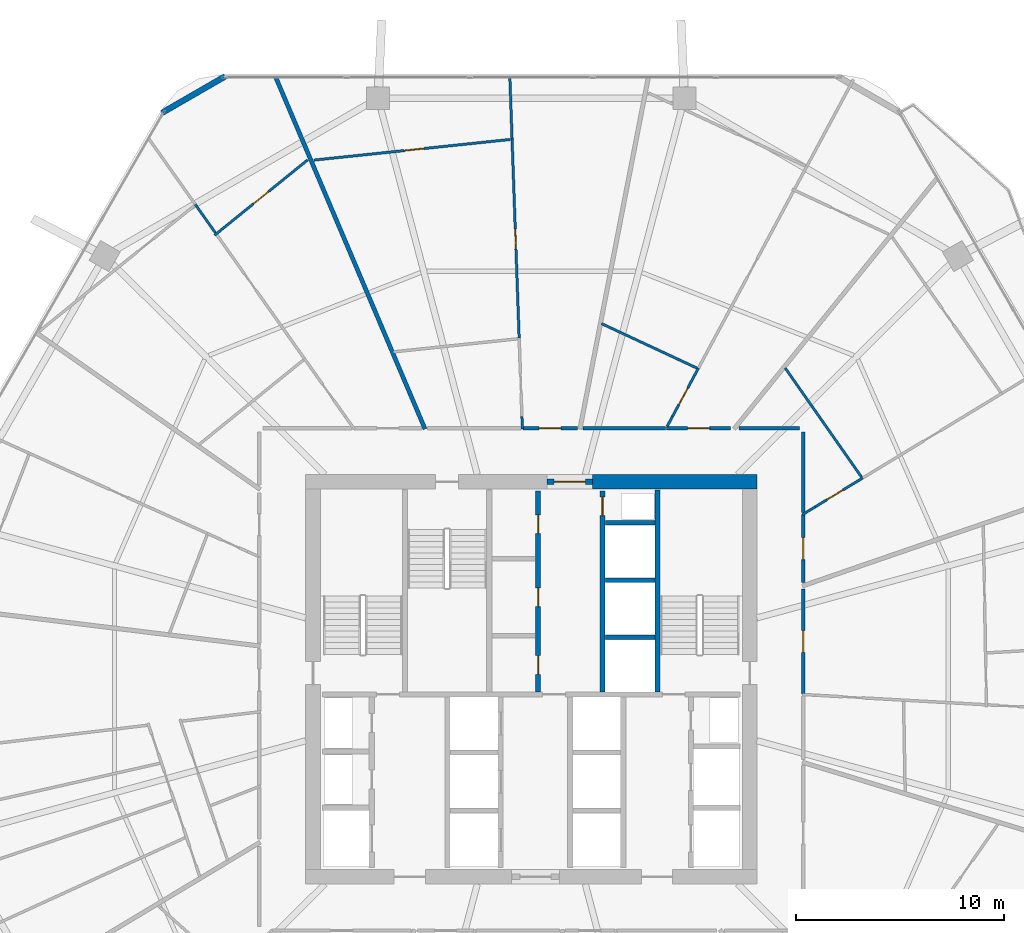
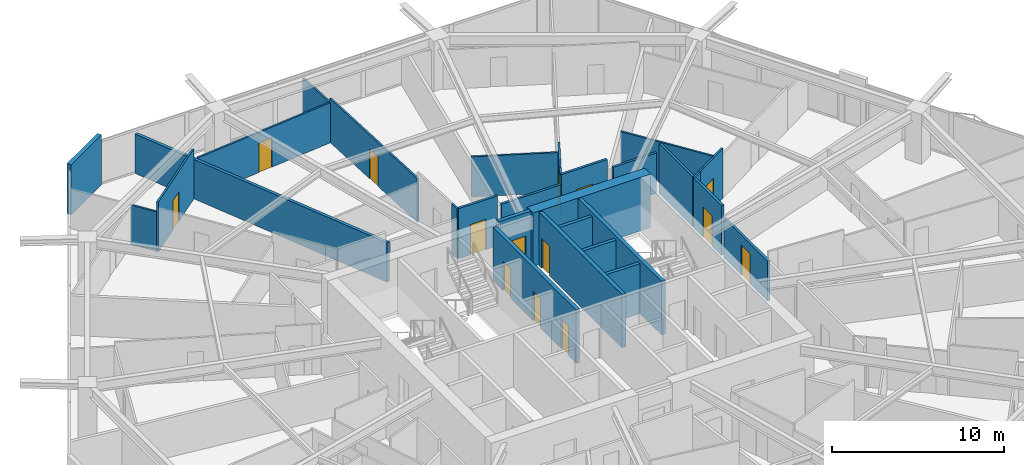
# One storey, part 28 of 32: 29 walls, 14 doors, 14 openings.
"""IFC4 building model written with IfcOpenShell, lengths in metres."""

from ifc_helpers import new_model, si_unit, direction, frame, frame_2d, origin, place, context, subcontext, project, spatial, rectangle, extrude, material, layer, layer_set, type_object, element, fill, save


model = new_model("IFC4")

# Units and contexts
model_context = context("Model", 3, precision=1e-05, world=origin(), true_north=direction((0.0, 1.0)))
body_context = subcontext(model_context, "Body", "Model", "MODEL_VIEW")
ifc_project = project(units=[si_unit("LENGTHUNIT", "METRE"), si_unit("AREAUNIT", "SQUARE_METRE"), si_unit("VOLUMEUNIT", "CUBIC_METRE"), si_unit("PLANEANGLEUNIT", "RADIAN"), si_unit("MASSUNIT", "GRAM", prefix="KILO")], contexts=[model_context])

# Site, building, storey
site_placement = place(None, origin())
site = spatial("IfcSite", under=ifc_project, at=site_placement, CompositionType="ELEMENT")
building_placement = place(site_placement, origin())
building = spatial("IfcBuilding", under=site, at=building_placement, Name="Zuhravey Tower", CompositionType="ELEMENT")
storey_placement = place(building_placement, frame((0.0, 0.0, 111.39990234375)))
storey = spatial("IfcBuildingStorey", under=building, at=storey_placement, Name="L27", CompositionType="ELEMENT", Elevation=111.39990234375)

# Wall
ifc_material_1 = material(Name="Concrete C60/75", Category="concrete")
ifc_layer_1 = layer(ifc_material_1, 0.699951171875)
ifc_layer_set_1 = layer_set([ifc_layer_1], Name="Concrete C60/75")
wall_type_1 = type_object("IfcWallType", Name="Core Shear Wall 700", PredefinedType="SHEAR", material=ifc_layer_set_1)
wall_1_placement = place(storey_placement, frame((46.85009765625, 41.5, 0.0), z_axis=(0.0, 0.0, 1.0), x_axis=(-1.0, 0.0, 0.0)))
element("IfcWall", 1, at=wall_1_placement, inside=storey, type_object=wall_type_1, Name="L27 North-East Core Shear Wall CW70", PredefinedType="SHEAR", context=body_context, shape_type="SweptSolid", body=[
    extrude(rectangle(XDim=7.900146484375, YDim=0.699951171875, at=frame_2d((3.9501953125, 0.0))), origin(), (0.0, 0.0, 1.0), 3.800048828125),
])

# Wall, opening, door
ifc_material_2 = material(Name="Gypsum fire-rated stud partition")
ifc_layer_2 = layer(ifc_material_2, 0.159912109375)
ifc_layer_set_2 = layer_set([ifc_layer_2], Name="Gypsum fire-rated stud partition")
wall_type_2 = type_object("IfcWallType", Name="Corridor Fire Partition 160", PredefinedType="PARTITIONING", material=ifc_layer_set_2)
wall_2_placement = place(storey_placement, frame((49.080078125, 36.653076171875, 0.0), z_axis=(0.0, 0.0, 1.0), x_axis=(0.0, 1.0, 0.0)))
wall_2 = element("IfcWall", 2, at=wall_2_placement, inside=storey, type_object=wall_type_2, Name="L27 IW16 Partition 022", PredefinedType="PARTITIONING", context=body_context, shape_type="SweptSolid", body=[
    extrude(rectangle(XDim=3.27001953125, YDim=0.159912109375, at=frame_2d((1.635009765625, 0.0))), origin(), (0.0, 0.0, 1.0), 3.550048828125),
])
opening_1_placement = place(wall_2_placement, frame((1.110107421875, 0.0, 0.0)))
opening_1 = element("IfcOpeningElement", 3, at=opening_1_placement, cuts=wall_2, Name="Opening APD1", PredefinedType="OPENING", context=body_context, shape_type="SweptSolid", body=[
    extrude(rectangle(XDim=1.050048828125, YDim=2.14990234375, at=frame_2d((0.52490234375, 1.074951171875))), frame((0.0, 0.092041015625, 0.0), z_axis=(0.0, -1.0, 0.0), x_axis=(1.0, 0.0, 0.0)), (0.0, 0.0, 1.0), 0.183837890625),
])
ifc_material_3 = material(Name="Solid-core oak fire-rated leaf")
door_type_1 = type_object("IfcDoorType", Name="Apartment Entrance Fire Door 1050x2150", OperationType="NOTDEFINED", PredefinedType="DOOR", material=ifc_material_3)
door_1_placement = place(opening_1_placement, frame((1.050048828125, 0.0, 0.0), z_axis=(0.0, 0.0, 1.0), x_axis=(-1.0, 0.0, 0.0)))
door_1 = element("IfcDoor", 4, at=door_1_placement, inside=storey, type_object=door_type_1, Name="L27 Door 022.1", OperationType="SINGLE_SWING_RIGHT", OverallHeight=2.14990234375, OverallWidth=1.050048828125, PredefinedType="DOOR", context=body_context, shape_type="SweptSolid", body=[
    extrude(rectangle(XDim=1.050048828125, YDim=2.14990234375, at=frame_2d((0.52490234375, 1.074951171875))), frame((0.0, 0.02490234375, 0.0), z_axis=(0.0, -1.0, 0.0), x_axis=(1.0, 0.0, 0.0)), (0.0, 0.0, 1.0), 0.050048828125),
])
fill(opening_1, door_1)

wall_3_placement = place(storey_placement, frame((45.583251953125, 44.080078125, 0.0), z_axis=(0.0, 0.0, 1.0), x_axis=(-1.0, 0.0, 0.0)))
wall_3 = element("IfcWall", 5, at=wall_3_placement, inside=storey, type_object=wall_type_2, Name="L27 IW16 Partition 028", PredefinedType="PARTITIONING", context=body_context, shape_type="SweptSolid", body=[
    extrude(rectangle(XDim=3.072509765625, YDim=0.159912109375, at=frame_2d((1.5361328125, 0.0))), origin(), (0.0, 0.0, 1.0), 3.550048828125),
])
opening_2_placement = place(wall_3_placement, frame((1.01123046875, 0.0, 0.0)))
opening_2 = element("IfcOpeningElement", 6, at=opening_2_placement, cuts=wall_3, Name="Opening APD1", PredefinedType="OPENING", context=body_context, shape_type="SweptSolid", body=[
    extrude(rectangle(XDim=1.050048828125, YDim=2.14990234375, at=frame_2d((0.52490234375, 1.074951171875))), frame((0.0, 0.092041015625, 0.0), z_axis=(0.0, -1.0, 0.0), x_axis=(1.0, 0.0, 0.0)), (0.0, 0.0, 1.0), 0.183837890625),
])
door_2_placement = place(opening_2_placement, frame((1.050048828125, 0.0, 0.0), z_axis=(0.0, 0.0, 1.0), x_axis=(-1.0, 0.0, 0.0)))
door_2 = element("IfcDoor", 7, at=door_2_placement, inside=storey, type_object=door_type_1, Name="L27 Door 028.1", OperationType="SINGLE_SWING_LEFT", OverallHeight=2.14990234375, OverallWidth=1.050048828125, PredefinedType="DOOR", context=body_context, shape_type="SweptSolid", body=[
    extrude(rectangle(XDim=1.050048828125, YDim=2.14990234375, at=frame_2d((0.52490234375, 1.074951171875))), frame((0.0, 0.02490234375, 0.0), z_axis=(0.0, -1.0, 0.0), x_axis=(1.0, 0.0, 0.0)), (0.0, 0.0, 1.0), 0.050048828125),
])
fill(opening_2, door_2)

wall_4_placement = place(storey_placement, frame((38.218505859375, 44.080078125, 0.0), z_axis=(0.0, 0.0, 1.0), x_axis=(-1.0, 0.0, 0.0)))
wall_4 = element("IfcWall", 8, at=wall_4_placement, inside=storey, type_object=wall_type_2, Name="L27 IW16 Partition 032", PredefinedType="PARTITIONING", context=body_context, shape_type="SweptSolid", body=[
    extrude(rectangle(XDim=2.62890625, YDim=0.159912109375, at=frame_2d((1.314453125, 0.0))), origin(), (0.0, 0.0, 1.0), 3.550048828125),
])
opening_3_placement = place(wall_4_placement, frame((0.78955078125, 0.0, 0.0)))
opening_3 = element("IfcOpeningElement", 9, at=opening_3_placement, cuts=wall_4, Name="Opening APD1", PredefinedType="OPENING", context=body_context, shape_type="SweptSolid", body=[
    extrude(rectangle(XDim=1.050048828125, YDim=2.14990234375, at=frame_2d((0.52490234375, 1.074951171875))), frame((0.0, 0.092041015625, 0.0), z_axis=(0.0, -1.0, 0.0), x_axis=(1.0, 0.0, 0.0)), (0.0, 0.0, 1.0), 0.183837890625),
])
door_3_placement = place(opening_3_placement, frame((1.050048828125, 0.0, 0.0), z_axis=(0.0, 0.0, 1.0), x_axis=(-1.0, 0.0, 0.0)))
door_3 = element("IfcDoor", 10, at=door_3_placement, inside=storey, type_object=door_type_1, Name="L27 Door 032.1", OperationType="SINGLE_SWING_LEFT", OverallHeight=2.14990234375, OverallWidth=1.050048828125, PredefinedType="DOOR", context=body_context, shape_type="SweptSolid", body=[
    extrude(rectangle(XDim=1.050048828125, YDim=2.14990234375, at=frame_2d((0.52490234375, 1.074951171875))), frame((0.0, 0.02490234375, 0.0), z_axis=(0.0, -1.0, 0.0), x_axis=(1.0, 0.0, 0.0)), (0.0, 0.0, 1.0), 0.050048828125),
])
fill(opening_3, door_3)

wall_5_placement = place(storey_placement, frame((49.080078125, 31.288818359375, 0.0), z_axis=(0.0, 0.0, 1.0), x_axis=(0.0, 1.0, 0.0)))
wall_5 = element("IfcWall", 11, at=wall_5_placement, inside=storey, type_object=wall_type_2, Name="L27 IW16 Partition 074", PredefinedType="PARTITIONING", context=body_context, shape_type="SweptSolid", body=[
    extrude(rectangle(XDim=5.066650390625, YDim=0.159912109375, at=frame_2d((2.533203125, 0.0))), origin(), (0.0, 0.0, 1.0), 2.85009765625),
])
opening_4_placement = place(wall_5_placement, frame((2.00830078125, 0.0, 0.0)))
opening_4 = element("IfcOpeningElement", 12, at=opening_4_placement, cuts=wall_5, Name="Opening APD1", PredefinedType="OPENING", context=body_context, shape_type="SweptSolid", body=[
    extrude(rectangle(XDim=1.050048828125, YDim=2.14990234375, at=frame_2d((0.52490234375, 1.074951171875))), frame((0.0, 0.092041015625, 0.0), z_axis=(0.0, -1.0, 0.0), x_axis=(1.0, 0.0, 0.0)), (0.0, 0.0, 1.0), 0.183837890625),
])
door_4_placement = place(opening_4_placement, frame((1.050048828125, 0.0, 0.0), z_axis=(0.0, 0.0, 1.0), x_axis=(-1.0, 0.0, 0.0)))
door_4 = element("IfcDoor", 13, at=door_4_placement, inside=storey, type_object=door_type_1, Name="L27 Door 074.1", OperationType="SINGLE_SWING_LEFT", OverallHeight=2.14990234375, OverallWidth=1.050048828125, PredefinedType="DOOR", context=body_context, shape_type="SweptSolid", body=[
    extrude(rectangle(XDim=1.050048828125, YDim=2.14990234375, at=frame_2d((0.52490234375, 1.074951171875))), frame((0.0, 0.02490234375, 0.0), z_axis=(0.0, -1.0, 0.0), x_axis=(1.0, 0.0, 0.0)), (0.0, 0.0, 1.0), 0.050048828125),
])
fill(opening_4, door_4)

# Walls
wall_6_placement = place(storey_placement, frame((49.080078125, 40.026123046875, 0.0), z_axis=(0.0, 0.0, 1.0), x_axis=(0.0, 1.0, 0.0)))
element("IfcWall", 14, at=wall_6_placement, inside=storey, type_object=wall_type_2, Name="L27 IW16 Partition 137", PredefinedType="PARTITIONING", context=body_context, shape_type="SweptSolid", body=[
    extrude(rectangle(XDim=3.873779296875, YDim=0.159912109375, at=frame_2d((1.93701171875, 0.0))), origin(), (0.0, 0.0, 1.0), 3.550048828125),
])
wall_7_placement = place(storey_placement, frame((48.89990234375, 44.080078125, 0.0), z_axis=(0.0, 0.0, 1.0), x_axis=(-1.0, 0.0, 0.0)))
element("IfcWall", 15, at=wall_7_placement, inside=storey, type_object=wall_type_2, Name="L27 IW16 Partition 138", PredefinedType="PARTITIONING", context=body_context, shape_type="SweptSolid", body=[
    extrude(rectangle(XDim=2.916015625, YDim=0.159912109375, at=frame_2d((1.4580078125, 0.0))), origin(), (0.0, 0.0, 1.0), 2.85009765625),
])
wall_8_placement = place(storey_placement, frame((42.46533203125, 44.080078125, 0.0), z_axis=(0.0, 0.0, 1.0), x_axis=(-1.0, 0.0, 0.0)))
element("IfcWall", 16, at=wall_8_placement, inside=storey, type_object=wall_type_2, Name="L27 IW16 Partition 139", PredefinedType="PARTITIONING", context=body_context, shape_type="SweptSolid", body=[
    extrude(rectangle(XDim=3.9873046875, YDim=0.159912109375, at=frame_2d((1.99365234375, 0.0))), origin(), (0.0, 0.0, 1.0), 2.85009765625),
])
ifc_material_4 = material(Name="Precast concrete C40/50", Category="concrete")
ifc_layer_3 = layer(ifc_material_4, 0.280029296875)
ifc_layer_set_3 = layer_set([ifc_layer_3], Name="Precast concrete C40/50")
wall_type_3 = type_object("IfcWallType", Name="Crown Architectural Wall 280", PredefinedType="SOLIDWALL", material=ifc_layer_set_3)
wall_9_placement = place(storey_placement, frame((18.23876953125, 59.24853515625, 0.0), z_axis=(0.0, 0.0, 1.0), x_axis=(0.866007452331, 0.500031091541, 0.0)))
element("IfcWall", 17, at=wall_9_placement, inside=storey, type_object=wall_type_3, Name="L27 Rounded Corner Closure Wall EW28-08", PredefinedType="SOLIDWALL", context=body_context, shape_type="SweptSolid", body=[
    extrude(rectangle(XDim=3.514892578125, YDim=0.280029296875, at=frame_2d((1.75732421875, 0.0))), origin(), (0.0, 0.0, 1.0), 3.550048828125),
])

# Wall, opening, door
ifc_material_5 = material(Name="Concrete C50/60", Category="concrete")
ifc_layer_4 = layer(ifc_material_5, 0.25)
ifc_layer_set_4 = layer_set([ifc_layer_4], Name="Concrete C50/60")
wall_type_4 = type_object("IfcWallType", Name="Firefighting Shaft & Stair Wall 250", PredefinedType="SOLIDWALL", material=ifc_layer_set_4)
wall_10_placement = place(storey_placement, frame((36.760009765625, 41.5, 0.0), z_axis=(0.0, 0.0, 1.0), x_axis=(1.0, 0.0, 0.0)))
wall_10 = element("IfcWall", 18, at=wall_10_placement, inside=storey, type_object=wall_type_4, Name="L27 FW25 Shaft Wall 002", PredefinedType="SOLIDWALL", context=body_context, shape_type="SweptSolid", body=[
    extrude(rectangle(XDim=2.179931640625, YDim=0.25, at=frame_2d((1.08984375, 0.0))), origin(), (0.0, 0.0, 1.0), 3.800048828125),
])
opening_5_placement = place(wall_10_placement, frame((0.340087890625, 0.0, 0.0)))
opening_5 = element("IfcOpeningElement", 19, at=opening_5_placement, cuts=wall_10, Name="Opening FFD1", PredefinedType="OPENING", context=body_context, shape_type="SweptSolid", body=[
    extrude(rectangle(XDim=1.5, YDim=2.14990234375, at=frame_2d((0.75, 1.074951171875))), frame((0.0, 0.136962890625, 0.0), z_axis=(0.0, -1.0, 0.0), x_axis=(1.0, 0.0, 0.0)), (0.0, 0.0, 1.0), 0.27392578125),
])
ifc_material_6 = material(Name="Galvanised fire-rated steel leaf", Category="steel")
door_type_2 = type_object("IfcDoorType", Name="Firefighting Lobby Double Door 1500x2150", OperationType="DOUBLE_DOOR_SINGLE_SWING", PredefinedType="DOOR", material=ifc_material_6)
door_5_placement = place(opening_5_placement, origin())
door_5 = element("IfcDoor", 20, at=door_5_placement, inside=storey, type_object=door_type_2, Name="L27 North Lift Lobby Exit Door", OperationType="DOUBLE_DOOR_SINGLE_SWING", OverallHeight=2.14990234375, OverallWidth=1.5, PredefinedType="DOOR", context=body_context, shape_type="SweptSolid", body=[
    extrude(rectangle(XDim=1.5, YDim=2.14990234375, at=frame_2d((0.75, 1.074951171875))), frame((0.0, 0.02490234375, 0.0), z_axis=(0.0, -1.0, 0.0), x_axis=(1.0, 0.0, 0.0)), (0.0, 0.0, 1.0), 0.050048828125),
])
fill(opening_5, door_5)

# Wall
wall_11_placement = place(storey_placement, frame((42.074951171875, 31.39990234375, 0.0), z_axis=(0.0, 0.0, 1.0), x_axis=(0.0, 1.0, 0.0)))
element("IfcWall", 21, at=wall_11_placement, inside=storey, type_object=wall_type_4, Name="L27 FW25 Shaft Wall 006", PredefinedType="SOLIDWALL", context=body_context, shape_type="SweptSolid", body=[
    extrude(rectangle(XDim=9.7001953125, YDim=0.25, at=frame_2d((4.85009765625, 0.0))), origin(), (0.0, 0.0, 1.0), 3.800048828125),
])

# Wall, openings, doors
wall_12_placement = place(storey_placement, frame((36.324951171875, 31.39990234375, 0.0), z_axis=(0.0, 0.0, 1.0), x_axis=(0.0, 1.0, 0.0)))
wall_12 = element("IfcWall", 22, at=wall_12_placement, inside=storey, type_object=wall_type_4, Name="L27 FW25 Shaft Wall 007", PredefinedType="SOLIDWALL", context=body_context, shape_type="SweptSolid", body=[
    extrude(rectangle(XDim=9.650146484375, YDim=0.25, at=frame_2d((4.8251953125, 0.0))), origin(), (0.0, 0.0, 1.0), 3.800048828125),
])
opening_6_placement = place(wall_12_placement, frame((0.840087890625, 0.0, 0.0)))
opening_6 = element("IfcOpeningElement", 23, at=opening_6_placement, cuts=wall_12, Name="Opening RSD1", PredefinedType="OPENING", context=body_context, shape_type="SweptSolid", body=[
    extrude(rectangle(XDim=0.89990234375, YDim=2.10009765625, at=frame_2d((0.449951171875, 1.050048828125))), frame((0.0, 0.136962890625, 0.0), z_axis=(0.0, -1.0, 0.0), x_axis=(1.0, 0.0, 0.0)), (0.0, 0.0, 1.0), 0.27392578125),
])
opening_7_placement = place(wall_12_placement, frame((4.10009765625, 0.0, 0.0)))
opening_7 = element("IfcOpeningElement", 24, at=opening_7_placement, cuts=wall_12, Name="Opening RSD1", PredefinedType="OPENING", context=body_context, shape_type="SweptSolid", body=[
    extrude(rectangle(XDim=0.89990234375, YDim=2.10009765625, at=frame_2d((0.449951171875, 1.050048828125))), frame((0.0, 0.136962890625, 0.0), z_axis=(0.0, -1.0, 0.0), x_axis=(1.0, 0.0, 0.0)), (0.0, 0.0, 1.0), 0.27392578125),
])
opening_8_placement = place(wall_12_placement, frame((7.610107421875, 0.0, 0.0)))
opening_8 = element("IfcOpeningElement", 25, at=opening_8_placement, cuts=wall_12, Name="Opening RSD1", PredefinedType="OPENING", context=body_context, shape_type="SweptSolid", body=[
    extrude(rectangle(XDim=0.89990234375, YDim=2.10009765625, at=frame_2d((0.449951171875, 1.050048828125))), frame((0.0, 0.136962890625, 0.0), z_axis=(0.0, -1.0, 0.0), x_axis=(1.0, 0.0, 0.0)), (0.0, 0.0, 1.0), 0.27392578125),
])
ifc_material_7 = material(Name="Galvanised fire-rated steel access leaf", Category="steel")
door_type_3 = type_object("IfcDoorType", Name="Riser & Shaft Access Fire Door 900x2100", OperationType="NOTDEFINED", PredefinedType="DOOR", material=ifc_material_7)
door_6_placement = place(opening_6_placement, origin())
door_6 = element("IfcDoor", 26, at=door_6_placement, inside=storey, type_object=door_type_3, Name="L27 Core Staff WC Door", OperationType="SINGLE_SWING_RIGHT", OverallHeight=2.10009765625, OverallWidth=0.89990234375, PredefinedType="DOOR", context=body_context, shape_type="SweptSolid", body=[
    extrude(rectangle(XDim=0.89990234375, YDim=2.10009765625, at=frame_2d((0.449951171875, 1.050048828125))), frame((0.0, 0.02490234375, 0.0), z_axis=(0.0, -1.0, 0.0), x_axis=(1.0, 0.0, 0.0)), (0.0, 0.0, 1.0), 0.050048828125),
])
fill(opening_6, door_6)
door_7_placement = place(opening_7_placement, origin())
door_7 = element("IfcDoor", 27, at=door_7_placement, inside=storey, type_object=door_type_3, Name="L27 IT and Comms Room Door", OperationType="SINGLE_SWING_LEFT", OverallHeight=2.10009765625, OverallWidth=0.89990234375, PredefinedType="DOOR", context=body_context, shape_type="SweptSolid", body=[
    extrude(rectangle(XDim=0.89990234375, YDim=2.10009765625, at=frame_2d((0.449951171875, 1.050048828125))), frame((0.0, 0.02490234375, 0.0), z_axis=(0.0, -1.0, 0.0), x_axis=(1.0, 0.0, 0.0)), (0.0, 0.0, 1.0), 0.050048828125),
])
fill(opening_7, door_7)
door_8_placement = place(opening_8_placement, origin())
door_8 = element("IfcDoor", 28, at=door_8_placement, inside=storey, type_object=door_type_3, Name="L27 Janitor Linen Store Door", OperationType="SINGLE_SWING_RIGHT", OverallHeight=2.10009765625, OverallWidth=0.89990234375, PredefinedType="DOOR", context=body_context, shape_type="SweptSolid", body=[
    extrude(rectangle(XDim=0.89990234375, YDim=2.10009765625, at=frame_2d((0.449951171875, 1.050048828125))), frame((0.0, 0.02490234375, 0.0), z_axis=(0.0, -1.0, 0.0), x_axis=(1.0, 0.0, 0.0)), (0.0, 0.0, 1.0), 0.050048828125),
])
fill(opening_8, door_8)

# Wall, opening, door
wall_13_placement = place(storey_placement, frame((39.425048828125, 31.39990234375, 0.0), z_axis=(0.0, 0.0, 1.0), x_axis=(0.0, 1.0, 0.0)))
wall_13 = element("IfcWall", 29, at=wall_13_placement, inside=storey, type_object=wall_type_4, Name="L27 FW25 Shaft Wall 008", PredefinedType="SOLIDWALL", context=body_context, shape_type="SweptSolid", body=[
    extrude(rectangle(XDim=9.650146484375, YDim=0.25, at=frame_2d((4.8251953125, 0.0))), origin(), (0.0, 0.0, 1.0), 3.800048828125),
])
opening_9_placement = place(wall_13_placement, frame((8.469970703125, 0.0, 0.0)))
opening_9 = element("IfcOpeningElement", 30, at=opening_9_placement, cuts=wall_13, Name="Opening RSD1", PredefinedType="OPENING", context=body_context, shape_type="SweptSolid", body=[
    extrude(rectangle(XDim=0.89990234375, YDim=2.10009765625, at=frame_2d((0.449951171875, 1.050048828125))), frame((0.0, 0.136962890625, 0.0), z_axis=(0.0, -1.0, 0.0), x_axis=(1.0, 0.0, 0.0)), (0.0, 0.0, 1.0), 0.27392578125),
])
door_9_placement = place(opening_9_placement, origin())
door_9 = element("IfcDoor", 31, at=door_9_placement, inside=storey, type_object=door_type_3, Name="L27 North Riser Door", OperationType="SINGLE_SWING_LEFT", OverallHeight=2.10009765625, OverallWidth=0.89990234375, PredefinedType="DOOR", context=body_context, shape_type="SweptSolid", body=[
    extrude(rectangle(XDim=0.89990234375, YDim=2.10009765625, at=frame_2d((0.449951171875, 1.050048828125))), frame((0.0, 0.02490234375, 0.0), z_axis=(0.0, -1.0, 0.0), x_axis=(1.0, 0.0, 0.0)), (0.0, 0.0, 1.0), 0.050048828125),
])
fill(opening_9, door_9)

# Walls
ifc_material_8 = material(Name="Gypsum double-stud party assembly")
ifc_layer_5 = layer(ifc_material_8, 0.199951171875)
ifc_layer_set_5 = layer_set([ifc_layer_5], Name="Gypsum double-stud party assembly")
wall_type_5 = type_object("IfcWallType", Name="Inter-Tenancy Party Wall 200", PredefinedType="PARTITIONING", material=ifc_layer_set_5)
wall_14_placement = place(storey_placement, frame((30.889404296875, 44.0400390625, 0.0), z_axis=(0.0, 0.0, 1.0), x_axis=(-0.39073950449, 0.920501298006, 0.0)))
element("IfcWall", 32, at=wall_14_placement, inside=storey, type_object=wall_type_5, Name="L27 IW20 Partition 097", PredefinedType="PARTITIONING", context=body_context, shape_type="SweptSolid", body=[
    extrude(rectangle(XDim=18.379638671875, YDim=0.199951171875, at=frame_2d((9.18994140625, 0.0))), origin(), (0.0, 0.0, 1.0), 2.800048828125),
])
ifc_material_9 = material(Name="Gypsum acoustic stud assembly")
ifc_layer_6 = layer(ifc_material_9, 0.219970703125)
ifc_layer_set_6 = layer_set([ifc_layer_6], Name="Gypsum acoustic stud assembly")
wall_type_6 = type_object("IfcWallType", Name="School Acoustic Compartment Wall 220", PredefinedType="PARTITIONING", material=ifc_layer_set_6)
for number, where, z_axis, x_axis, name in (
    (33, (39.55810546875, 34.02490234375, 0.0), (0.0, 0.0, 1.0), (1.0, 0.0, 0.0), "L27 IW22 Partition 077"),
    (34, (39.55810546875, 36.77490234375, 0.0), (0.0, 0.0, 1.0), (1.0, 0.0, 0.0), "L27 IW22 Partition 078"),
    (35, (39.55810546875, 39.52490234375, 0.0), (0.0, 0.0, 1.0), (1.0, 0.0, 0.0), "L27 IW22 Partition 079"),
):
    element("IfcWall", number, at=place(storey_placement, frame(where, z_axis=z_axis, x_axis=x_axis)), inside=storey, type_object=wall_type_6, Name=name, PredefinedType="PARTITIONING", context=body_context, shape_type="SweptSolid", body=[
        extrude(rectangle(XDim=2.3837890625, YDim=0.219970703125, at=frame_2d((1.19189453125, 0.0))), origin(), (0.0, 0.0, 1.0), 3.550048828125),
    ])

# Wall, opening, door
ifc_material_10 = material(Name="Gypsum metal-stud partition")
ifc_layer_7 = layer(ifc_material_10, 0.1201171875)
ifc_layer_set_7 = layer_set([ifc_layer_7], Name="Gypsum metal-stud partition")
wall_type_7 = type_object("IfcWallType", Name="Unit Internal Partition 120", PredefinedType="PARTITIONING", material=ifc_layer_set_7)
wall_15_placement = place(storey_placement, frame((49.64990234375, 40.292724609375, 0.0), z_axis=(0.0, 0.0, 1.0), x_axis=(0.854654905255, 0.519196487781, 0.0)))
wall_15 = element("IfcWall", 36, at=wall_15_placement, inside=storey, type_object=wall_type_7, Name="L27 IW12 Partition 019", PredefinedType="PARTITIONING", context=body_context, shape_type="SweptSolid", body=[
    extrude(rectangle(XDim=2.68408203125, YDim=0.1201171875, at=frame_2d((1.342041015625, 0.0))), origin(), (0.0, 0.0, 1.0), 3.550048828125),
])
opening_10_placement = place(wall_15_placement, frame((0.67724609375, 0.0, 0.0)))
opening_10 = element("IfcOpeningElement", 37, at=opening_10_placement, cuts=wall_15, Name="Opening WCD1", PredefinedType="OPENING", context=body_context, shape_type="SweptSolid", body=[
    extrude(rectangle(XDim=0.89990234375, YDim=2.10009765625, at=frame_2d((0.449951171875, 1.050048828125))), frame((0.0, 0.072021484375, 0.0), z_axis=(0.0, -1.0, 0.0), x_axis=(1.0, 0.0, 0.0)), (0.0, 0.0, 1.0), 0.14404296875),
])
ifc_material_11 = material(Name="Moisture-resistant timber leaf", Category="wood")
door_type_4 = type_object("IfcDoorType", Name="Bathroom & WC Internal Door 900x2100", OperationType="NOTDEFINED", PredefinedType="DOOR", material=ifc_material_11)
door_10_placement = place(opening_10_placement, origin())
door_10 = element("IfcDoor", 38, at=door_10_placement, inside=storey, type_object=door_type_4, Name="Apartment L27-01 Bathroom Door", OperationType="SINGLE_SWING_LEFT", OverallHeight=2.10009765625, OverallWidth=0.89990234375, PredefinedType="DOOR", context=body_context, shape_type="SweptSolid", body=[
    extrude(rectangle(XDim=0.89990234375, YDim=2.10009765625, at=frame_2d((0.449951171875, 1.050048828125))), frame((0.0, 0.02490234375, 0.0), z_axis=(0.0, -1.0, 0.0), x_axis=(1.0, 0.0, 0.0)), (0.0, 0.0, 1.0), 0.050048828125),
])
fill(opening_10, door_10)

wall_16_placement = place(storey_placement, frame((42.794189453125, 44.64990234375, 0.0), z_axis=(0.0, 0.0, 1.0), x_axis=(0.473152013486, 0.880980801229, 0.0)))
wall_16 = element("IfcWall", 39, at=wall_16_placement, inside=storey, type_object=wall_type_7, Name="L27 IW12 Partition 024", PredefinedType="PARTITIONING", context=body_context, shape_type="SweptSolid", body=[
    extrude(rectangle(XDim=2.62744140625, YDim=0.1201171875, at=frame_2d((1.313720703125, 0.0))), origin(), (0.0, 0.0, 1.0), 3.550048828125),
])
opening_11_placement = place(wall_16_placement, frame((0.653564453125, 0.0, 0.0)))
opening_11 = element("IfcOpeningElement", 40, at=opening_11_placement, cuts=wall_16, Name="Opening WCD1", PredefinedType="OPENING", context=body_context, shape_type="SweptSolid", body=[
    extrude(rectangle(XDim=0.89990234375, YDim=2.10009765625, at=frame_2d((0.449951171875, 1.050048828125))), frame((0.0, 0.072021484375, 0.0), z_axis=(0.0, -1.0, 0.0), x_axis=(1.0, 0.0, 0.0)), (0.0, 0.0, 1.0), 0.14404296875),
])
door_11_placement = place(opening_11_placement, origin())
door_11 = element("IfcDoor", 41, at=door_11_placement, inside=storey, type_object=door_type_4, Name="Apartment L27-02 Bathroom Door", OperationType="SINGLE_SWING_RIGHT", OverallHeight=2.10009765625, OverallWidth=0.89990234375, PredefinedType="DOOR", context=body_context, shape_type="SweptSolid", body=[
    extrude(rectangle(XDim=0.89990234375, YDim=2.10009765625, at=frame_2d((0.449951171875, 1.050048828125))), frame((0.0, 0.02490234375, 0.0), z_axis=(0.0, -1.0, 0.0), x_axis=(1.0, 0.0, 0.0)), (0.0, 0.0, 1.0), 0.050048828125),
])
fill(opening_11, door_11)

wall_17_placement = place(storey_placement, frame((35.415283203125, 48.4111328125, 0.0), z_axis=(0.0, 0.0, 1.0), x_axis=(-0.035569015933, 0.999367222349, 0.0)))
wall_17 = element("IfcWall", 42, at=wall_17_placement, inside=storey, type_object=wall_type_7, Name="L27 IW12 Partition 030", PredefinedType="PARTITIONING", context=body_context, shape_type="SweptSolid", body=[
    extrude(rectangle(XDim=9.595703125, YDim=0.1201171875, at=frame_2d((4.7978515625, 0.0))), origin(), (0.0, 0.0, 1.0), 3.10009765625),
])
opening_12_placement = place(wall_17_placement, frame((4.2978515625, 0.0, 0.0)))
opening_12 = element("IfcOpeningElement", 43, at=opening_12_placement, cuts=wall_17, Name="Opening IND1", PredefinedType="OPENING", context=body_context, shape_type="SweptSolid", body=[
    extrude(rectangle(XDim=0.949951171875, YDim=2.10009765625, at=frame_2d((0.47509765625, 1.050048828125))), frame((0.0, 0.072021484375, 0.0), z_axis=(0.0, -1.0, 0.0), x_axis=(1.0, 0.0, 0.0)), (0.0, 0.0, 1.0), 0.14404296875),
])
ifc_material_12 = material(Name="Painted engineered timber leaf", Category="wood")
door_type_5 = type_object("IfcDoorType", Name="Internal Room & Bedroom Door 950x2100", OperationType="NOTDEFINED", PredefinedType="DOOR", material=ifc_material_12)
door_12_placement = place(opening_12_placement, origin())
door_12 = element("IfcDoor", 44, at=door_12_placement, inside=storey, type_object=door_type_5, Name="Apartment L27-03 Home Office Door", OperationType="SINGLE_SWING_LEFT", OverallHeight=2.10009765625, OverallWidth=0.949951171875, PredefinedType="DOOR", context=body_context, shape_type="SweptSolid", body=[
    extrude(rectangle(XDim=0.949951171875, YDim=2.10009765625, at=frame_2d((0.47509765625, 1.050048828125))), frame((0.0, 0.02490234375, 0.0), z_axis=(0.0, -1.0, 0.0), x_axis=(1.0, 0.0, 0.0)), (0.0, 0.0, 1.0), 0.050048828125),
])
fill(opening_12, door_12)

wall_18_placement = place(storey_placement, frame((35.007080078125, 57.96875, 0.0), z_axis=(0.0, 0.0, 1.0), x_axis=(-0.994523439889, -0.104513767091, 0.0)))
wall_18 = element("IfcWall", 45, at=wall_18_placement, inside=storey, type_object=wall_type_7, Name="L27 IW12 Partition 031", PredefinedType="PARTITIONING", context=body_context, shape_type="SweptSolid", body=[
    extrude(rectangle(XDim=9.511962890625, YDim=0.1201171875, at=frame_2d((4.755859375, 0.0))), origin(), (0.0, 0.0, 1.0), 2.85009765625),
])
opening_13_placement = place(wall_18_placement, frame((4.197021484375, 0.0, 0.0)))
opening_13 = element("IfcOpeningElement", 46, at=opening_13_placement, cuts=wall_18, Name="Opening IND1", PredefinedType="OPENING", context=body_context, shape_type="SweptSolid", body=[
    extrude(rectangle(XDim=0.949951171875, YDim=2.10009765625, at=frame_2d((0.47509765625, 1.050048828125))), frame((0.0, 0.072021484375, 0.0), z_axis=(0.0, -1.0, 0.0), x_axis=(1.0, 0.0, 0.0)), (0.0, 0.0, 1.0), 0.14404296875),
])
door_13_placement = place(opening_13_placement, frame((0.949951171875, 0.0, 0.0), z_axis=(0.0, 0.0, 1.0), x_axis=(-1.0, 0.0, 0.0)))
door_13 = element("IfcDoor", 47, at=door_13_placement, inside=storey, type_object=door_type_5, Name="Apartment L27-03 Bedroom 1 Door", OperationType="SINGLE_SWING_RIGHT", OverallHeight=2.10009765625, OverallWidth=0.949951171875, PredefinedType="DOOR", context=body_context, shape_type="SweptSolid", body=[
    extrude(rectangle(XDim=0.949951171875, YDim=2.10009765625, at=frame_2d((0.47509765625, 1.050048828125))), frame((0.0, 0.02490234375, 0.0), z_axis=(0.0, -1.0, 0.0), x_axis=(1.0, 0.0, 0.0)), (0.0, 0.0, 1.0), 0.050048828125),
])
fill(opening_13, door_13)

wall_19_placement = place(storey_placement, frame((25.244873046875, 56.986083984375, 0.0), z_axis=(0.0, 0.0, 1.0), x_axis=(-0.777148191712, -0.629317636904, 0.0)))
wall_19 = element("IfcWall", 48, at=wall_19_placement, inside=storey, type_object=wall_type_7, Name="L27 IW12 Partition 033", PredefinedType="PARTITIONING", context=body_context, shape_type="SweptSolid", body=[
    extrude(rectangle(XDim=5.763671875, YDim=0.1201171875, at=frame_2d((2.8818359375, 0.0))), origin(), (0.0, 0.0, 1.0), 3.550048828125),
])
opening_14_placement = place(wall_19_placement, frame((2.40673828125, 0.0, 0.0)))
opening_14 = element("IfcOpeningElement", 49, at=opening_14_placement, cuts=wall_19, Name="Opening IND1", PredefinedType="OPENING", context=body_context, shape_type="SweptSolid", body=[
    extrude(rectangle(XDim=0.949951171875, YDim=2.10009765625, at=frame_2d((0.47509765625, 1.050048828125))), frame((0.0, 0.072021484375, 0.0), z_axis=(0.0, -1.0, 0.0), x_axis=(1.0, 0.0, 0.0)), (0.0, 0.0, 1.0), 0.14404296875),
])
door_14_placement = place(opening_14_placement, frame((0.949951171875, 0.0, 0.0), z_axis=(0.0, 0.0, 1.0), x_axis=(-1.0, 0.0, 0.0)))
door_14 = element("IfcDoor", 50, at=door_14_placement, inside=storey, type_object=door_type_5, Name="Apartment L27-04 Family Study Door", OperationType="SINGLE_SWING_RIGHT", OverallHeight=2.10009765625, OverallWidth=0.949951171875, PredefinedType="DOOR", context=body_context, shape_type="SweptSolid", body=[
    extrude(rectangle(XDim=0.949951171875, YDim=2.10009765625, at=frame_2d((0.47509765625, 1.050048828125))), frame((0.0, 0.02490234375, 0.0), z_axis=(0.0, -1.0, 0.0), x_axis=(1.0, 0.0, 0.0)), (0.0, 0.0, 1.0), 0.050048828125),
])
fill(opening_14, door_14)

# Walls
wall_20_placement = place(storey_placement, frame((20.80419921875, 53.4775390625, 0.0), z_axis=(0.0, 0.0, 1.0), x_axis=(-0.577488374184, 0.816398908428, 0.0)))
element("IfcWall", 51, at=wall_20_placement, inside=storey, type_object=wall_type_7, Name="L27 IW12 Partition 036", PredefinedType="PARTITIONING", context=body_context, shape_type="SweptSolid", body=[
    extrude(rectangle(XDim=1.677978515625, YDim=0.1201171875, at=frame_2d((0.8388671875, 0.0))), origin(), (0.0, 0.0, 1.0), 2.800048828125),
])
wall_21_placement = place(storey_placement, frame((49.04150390625, 39.923095703125, 0.0), z_axis=(0.0, 0.0, 1.0), x_axis=(0.854635339674, 0.519228693526, 0.0)))
element("IfcWall", 52, at=wall_21_placement, inside=storey, type_object=wall_type_7, Name="L27 IW12 Partition 085", PredefinedType="PARTITIONING", context=body_context, shape_type="SweptSolid", body=[
    extrude(rectangle(XDim=0.7119140625, YDim=0.1201171875, at=frame_2d((0.35595703125, 0.0))), origin(), (0.0, 0.0, 1.0), 3.550048828125),
])
wall_22_placement = place(storey_placement, frame((51.883544921875, 41.729248046875, 0.0), z_axis=(0.0, 0.0, 1.0), x_axis=(-0.573595462393, 0.819138721782, 0.0)))
element("IfcWall", 53, at=wall_22_placement, inside=storey, type_object=wall_type_7, Name="L27 IW12 Partition 087", PredefinedType="PARTITIONING", context=body_context, shape_type="SweptSolid", body=[
    extrude(rectangle(XDim=6.400146484375, YDim=0.1201171875, at=frame_2d((3.2001953125, 0.0))), origin(), (0.0, 0.0, 1.0), 2.85009765625),
])
wall_23_placement = place(storey_placement, frame((42.535400390625, 44.16796875, 0.0), z_axis=(0.0, 0.0, 1.0), x_axis=(0.473088148205, 0.881015098638, 0.0)))
element("IfcWall", 54, at=wall_23_placement, inside=storey, type_object=wall_type_7, Name="L27 IW12 Partition 089", PredefinedType="PARTITIONING", context=body_context, shape_type="SweptSolid", body=[
    extrude(rectangle(XDim=0.547119140625, YDim=0.1201171875, at=frame_2d((0.2734375, 0.0))), origin(), (0.0, 0.0, 1.0), 3.550048828125),
])
wall_24_placement = place(storey_placement, frame((43.9638671875, 46.971435546875, 0.0), z_axis=(0.0, 0.0, 1.0), x_axis=(-0.906312552641, 0.422608041719, 0.0)))
element("IfcWall", 55, at=wall_24_placement, inside=storey, type_object=wall_type_7, Name="L27 IW12 Partition 091", PredefinedType="PARTITIONING", context=body_context, shape_type="SweptSolid", body=[
    extrude(rectangle(XDim=5.058837890625, YDim=0.1201171875, at=frame_2d((2.529296875, 0.0))), origin(), (0.0, 0.0, 1.0), 2.85009765625),
])
wall_25_placement = place(storey_placement, frame((35.5712890625, 44.034912109375, 0.0), z_axis=(0.0, 0.0, 1.0), x_axis=(-0.03570568138, 0.999362348859, 0.0)))
element("IfcWall", 56, at=wall_25_placement, inside=storey, type_object=wall_type_7, Name="L27 IW12 Partition 094", PredefinedType="PARTITIONING", context=body_context, shape_type="SweptSolid", body=[
    extrude(rectangle(XDim=0.615478515625, YDim=0.1201171875, at=frame_2d((0.3076171875, 0.0))), origin(), (0.0, 0.0, 1.0), 3.550048828125),
])
wall_26_placement = place(storey_placement, frame((35.07373046875, 58.000732421875, 0.0), z_axis=(0.0, 0.0, 1.0), x_axis=(-0.035576968913, 0.999366939259, 0.0)))
element("IfcWall", 57, at=wall_26_placement, inside=storey, type_object=wall_type_7, Name="L27 IW12 Partition 095", PredefinedType="PARTITIONING", context=body_context, shape_type="SweptSolid", body=[
    extrude(rectangle(XDim=2.964599609375, YDim=0.1201171875, at=frame_2d((1.482421875, 0.0))), origin(), (0.0, 0.0, 1.0), 2.800048828125),
])

save(model, "model.ifc")
